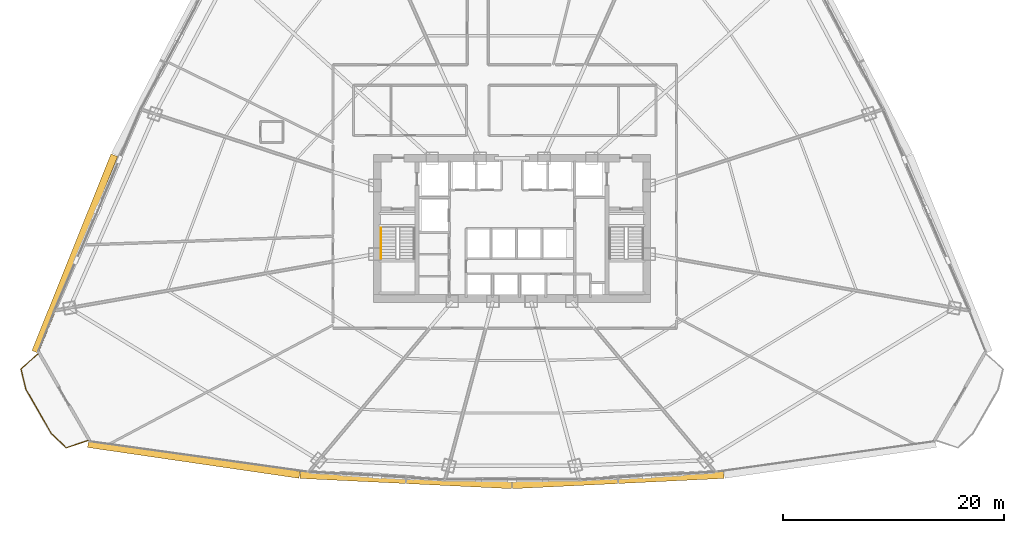
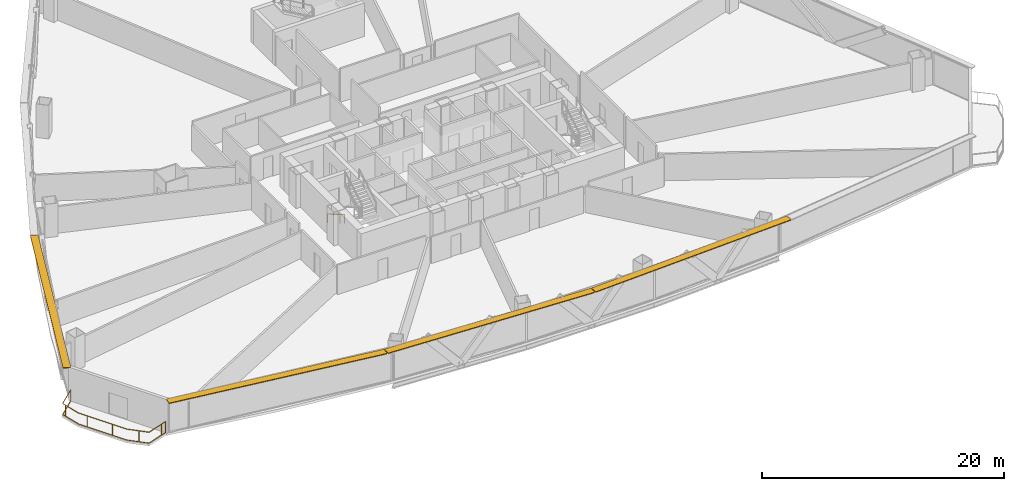
# One storey, part 34 of 37: 4 shading devices, 2 railings.
"""IFC4 building model written with IfcOpenShell, lengths in metres."""

from ifc_helpers import new_model, si_unit, direction, frame, origin, origin_2d, place, context, subcontext, project, spatial, rectangle, extrude, source, transform, mapped, material, layer, layer_set, type_object, element, save


model = new_model("IFC4")

# Units and contexts
model_context = context("Model", 3, precision=1e-05, world=origin(), true_north=direction((0.0, 1.0)))
body_context = subcontext(model_context, "Body", "Model", "MODEL_VIEW")
ifc_project = project(units=[si_unit("LENGTHUNIT", "METRE"), si_unit("AREAUNIT", "SQUARE_METRE"), si_unit("VOLUMEUNIT", "CUBIC_METRE"), si_unit("PLANEANGLEUNIT", "RADIAN"), si_unit("MASSUNIT", "GRAM", prefix="KILO"), si_unit("THERMODYNAMICTEMPERATUREUNIT", "KELVIN"), si_unit("POWERUNIT", "WATT")], contexts=[model_context])

# Site, building, storey
site_placement = place(None, origin())
site = spatial("IfcSite", under=ifc_project, at=site_placement, CompositionType="ELEMENT")
building_placement = place(site_placement, origin())
building = spatial("IfcBuilding", under=site, at=building_placement, Name="Yunzhuo Pagoda Commons", CompositionType="ELEMENT")
storey_placement = place(building_placement, frame((0.0, 0.0, 55.81005859375)))
storey = spatial("IfcBuildingStorey", under=building, at=storey_placement, Name="L14", CompositionType="ELEMENT", Elevation=55.81005859375)

# Railings
ifc_material = material(Name="Anodized aluminium 6063-T6", Category="aluminium")
railing_type_1 = type_object("IfcRailingType", Name="HR-ST1 Stair Handrail 900", PredefinedType="HANDRAIL", material=ifc_material)
railing_1_placement = place(storey_placement, frame((36.14990234375, 33.89990234375, 0.1650390625)))
element("IfcRailing", 1, at=railing_1_placement, inside=storey, type_object=railing_type_1, Name="L14 ST1 stair handrail 1", PredefinedType="HANDRAIL", context=body_context, shape_type="SweptSolid", body=[
    extrude(rectangle(XDim=0.048095703125, YDim=0.048095703125, at=origin_2d()), frame((0.0, 0.0, 0.8759765625), z_axis=(0.0, -0.861536114422, 0.507696290658), x_axis=(1.0, 0.0, 0.0)), (0.0, 0.0, 1.0), 3.249755859375),
    extrude(rectangle(XDim=0.0419921875, YDim=0.0419921875, at=origin_2d()), origin(), (0.0, 0.0, 1.0), 0.851806640625),
    extrude(rectangle(XDim=0.0419921875, YDim=0.0419921875, at=origin_2d()), frame((0.0, -2.067626953125, 1.218505859375)), (0.0, 0.0, 1.0), 0.851806640625),
    extrude(rectangle(XDim=0.0419921875, YDim=0.0419921875, at=origin_2d()), frame((0.0, -2.7998046875, 1.64990234375)), (0.0, 0.0, 1.0), 0.851806640625),
])
railing_type_2 = type_object("IfcRailingType", Name="RL-BAL1 Exterior Terrace & Balcony Balustrade 1150", PredefinedType="BALUSTRADE", material=ifc_material)
railing_2_placement = place(storey_placement, frame((5.08544921875, 22.47705078125, 0.0)))
element("IfcRailing", 2, at=railing_2_placement, inside=storey, type_object=railing_type_2, Name="L14 corner balcony balustrade V1", PredefinedType="BALUSTRADE", context=body_context, shape_type="SweptSolid", body=[
    extrude(rectangle(XDim=0.048095703125, YDim=0.048095703125, at=origin_2d()), frame((0.0, 0.0, 1.1259765625), z_axis=(-0.753933830692, -0.656950362614, 0.0), x_axis=(0.656950362614, -0.753933830692, 0.0)), (0.0, 0.0, 1.0), 2.05908203125),
    extrude(rectangle(XDim=0.048095703125, YDim=0.048095703125, at=origin_2d()), frame((0.0, 0.0, 0.02392578125), z_axis=(-0.753933830692, -0.656950362614, 0.0), x_axis=(0.656950362614, -0.753933830692, 0.0)), (0.0, 0.0, 1.0), 2.05908203125),
    extrude(rectangle(XDim=0.048095703125, YDim=0.048095703125, at=origin_2d()), frame((-1.552490234375, -1.352783203125, 1.1259765625), z_axis=(0.235684758319, -0.971829560518, 0.0), x_axis=(0.971829560518, 0.235684758319, 0.0)), (0.0, 0.0, 1.0), 1.896728515625),
    extrude(rectangle(XDim=0.048095703125, YDim=0.048095703125, at=origin_2d()), frame((-1.552490234375, -1.352783203125, 0.02392578125), z_axis=(0.235684758319, -0.971829560518, 0.0), x_axis=(0.971829560518, 0.235684758319, 0.0)), (0.0, 0.0, 1.0), 1.896728515625),
    extrude(rectangle(XDim=0.048095703125, YDim=0.048095703125, at=origin_2d()), frame((-1.10546875, -3.196044921875, 1.1259765625), z_axis=(0.497931801723, -0.867216190366, 0.0), x_axis=(0.867216190366, 0.497931801723, 0.0)), (0.0, 0.0, 1.0), 4.60205078125),
    extrude(rectangle(XDim=0.048095703125, YDim=0.048095703125, at=origin_2d()), frame((-1.10546875, -3.196044921875, 0.02392578125), z_axis=(0.497931801723, -0.867216190366, 0.0), x_axis=(0.867216190366, 0.497931801723, 0.0)), (0.0, 0.0, 1.0), 4.60205078125),
    extrude(rectangle(XDim=0.048095703125, YDim=0.048095703125, at=origin_2d()), frame((1.18603515625, -7.18701171875, 1.1259765625), z_axis=(0.720429774389, -0.693527894302, 0.0), x_axis=(0.693527894302, 0.720429774389, 0.0)), (0.0, 0.0, 1.0), 1.896728515625),
    extrude(rectangle(XDim=0.048095703125, YDim=0.048095703125, at=origin_2d()), frame((1.18603515625, -7.18701171875, 0.02392578125), z_axis=(0.720429774389, -0.693527894302, 0.0), x_axis=(0.693527894302, 0.720429774389, 0.0)), (0.0, 0.0, 1.0), 1.896728515625),
    extrude(rectangle(XDim=0.048095703125, YDim=0.048095703125, at=origin_2d()), frame((2.552490234375, -8.50244140625, 1.1259765625), z_axis=(0.947395259337, 0.320065965992, 0.0), x_axis=(-0.320065965992, 0.947395259337, 0.0)), (0.0, 0.0, 1.0), 2.0595703125),
    extrude(rectangle(XDim=0.048095703125, YDim=0.048095703125, at=origin_2d()), frame((2.552490234375, -8.50244140625, 0.02392578125), z_axis=(0.947395259337, 0.320065965992, 0.0), x_axis=(-0.320065965992, 0.947395259337, 0.0)), (0.0, 0.0, 1.0), 2.0595703125),
    extrude(rectangle(XDim=0.0419921875, YDim=0.0419921875, at=origin_2d()), origin(), (0.0, 0.0, 1.0), 1.101806640625),
    extrude(rectangle(XDim=0.0419921875, YDim=0.0419921875, at=origin_2d()), frame((-1.47216796875, -1.68408203125, 0.0)), (0.0, 0.0, 1.0), 1.101806640625),
    extrude(rectangle(XDim=0.0419921875, YDim=0.0419921875, at=origin_2d()), frame((-0.68505859375, -3.927978515625, 0.0)), (0.0, 0.0, 1.0), 1.101806640625),
    extrude(rectangle(XDim=0.0419921875, YDim=0.0419921875, at=origin_2d()), frame((0.509765625, -6.009521484375, 0.0)), (0.0, 0.0, 1.0), 1.101806640625),
    extrude(rectangle(XDim=0.0419921875, YDim=0.0419921875, at=origin_2d()), frame((1.936767578125, -7.90966796875, 0.0)), (0.0, 0.0, 1.0), 1.101806640625),
    extrude(rectangle(XDim=0.0419921875, YDim=0.0419921875, at=origin_2d()), frame((4.0166015625, -8.0078125, 0.0)), (0.0, 0.0, 1.0), 1.101806640625),
    extrude(rectangle(XDim=0.0419921875, YDim=0.0419921875, at=origin_2d()), frame((4.503662109375, -7.84326171875, 0.0)), (0.0, 0.0, 1.0), 1.101806640625),
])

# Shading devices
ifc_layer = layer(ifc_material, 0.080078125)
ifc_layer_set = layer_set([ifc_layer], Name="Anodized aluminium 6063-T6")
shading_device_type = type_object("IfcShadingDeviceType", Name="SH-SUN1 Pagoda Horizontal Sunshade Eave 650", PredefinedType="USERDEFINED", material=ifc_layer_set)
shared_shape_1 = source(origin(), body_context, "Body", "SweptSolid", [
    extrude(rectangle(XDim=19.34912109375, YDim=0.64990234375, at=origin_2d()), origin(), (0.0, 0.0, 1.0), 0.080078125),
])
shading_device_1_placement = place(storey_placement, frame((19.18701171875, 12.926513671875, 3.289794921875), z_axis=(0.0, 0.0, 1.0), x_axis=(0.989510666697, -0.144459823108, 0.0)))
element("IfcShadingDevice", 3, at=shading_device_1_placement, inside=storey, type_object=shading_device_type, Name="L14 horizontal pagoda sunshade eave F1.1", ObjectType="SUNSHADE", PredefinedType="USERDEFINED", context=body_context, shape_type="MappedRepresentation", body=[
    mapped(shared_shape_1, transform((0.0, 0.0, 0.0), scale=1.0)),
])
shared_shape_2 = source(origin(), body_context, "Body", "SweptSolid", [
    extrude(rectangle(XDim=19.168212890625, YDim=0.64990234375, at=origin_2d()), origin(), (0.0, 0.0, 1.0), 0.080078125),
])
for number, where, z_axis, x_axis, name in (
    (4, (38.3955078125, 11.056884765625, 3.289794921875), (0.0, 0.0, 1.0), (0.998818043775, -0.04860571396, 0.0), "L14 horizontal pagoda sunshade eave F1.2"),
    (5, (57.6044921875, 11.056884765625, 3.289794921875), (0.0, 0.0, 1.0), (0.998818043775, 0.04860571396, 0.0), "L14 horizontal pagoda sunshade eave F1.3"),
):
    element("IfcShadingDevice", number, at=place(storey_placement, frame(where, z_axis=z_axis, x_axis=x_axis)), inside=storey, type_object=shading_device_type, Name=name, ObjectType="SUNSHADE", PredefinedType="USERDEFINED", context=body_context, shape_type="MappedRepresentation", body=[
        mapped(shared_shape_2, transform((0.0, 0.0, 0.0), scale=1.0)),
    ])
shared_shape_3 = source(origin(), body_context, "Body", "SweptSolid", [
    extrude(rectangle(XDim=19.193603515625, YDim=0.64990234375, at=origin_2d()), origin(), (0.0, 0.0, 1.0), 0.080078125),
])
shading_device_2_placement = place(storey_placement, frame((8.409912109375, 31.55859375, 3.289794921875), z_axis=(0.0, 0.0, 1.0), x_axis=(-0.372987782576, -0.927836253899, 0.0)))
element("IfcShadingDevice", 6, at=shading_device_2_placement, inside=storey, type_object=shading_device_type, Name="L14 horizontal pagoda sunshade eave F3.4", ObjectType="SUNSHADE", PredefinedType="USERDEFINED", context=body_context, shape_type="MappedRepresentation", body=[
    mapped(shared_shape_3, transform((0.0, 0.0, 0.0), scale=1.0)),
])

save(model, "model.ifc")
